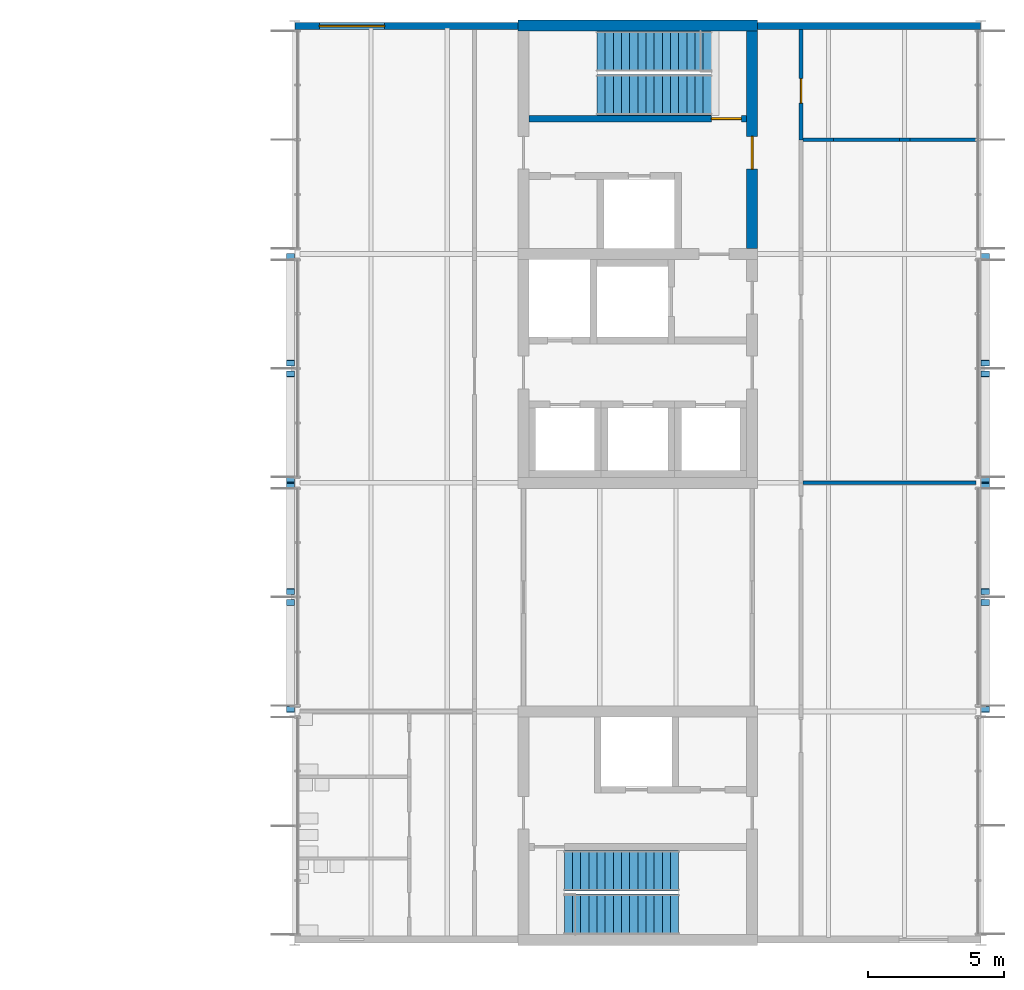
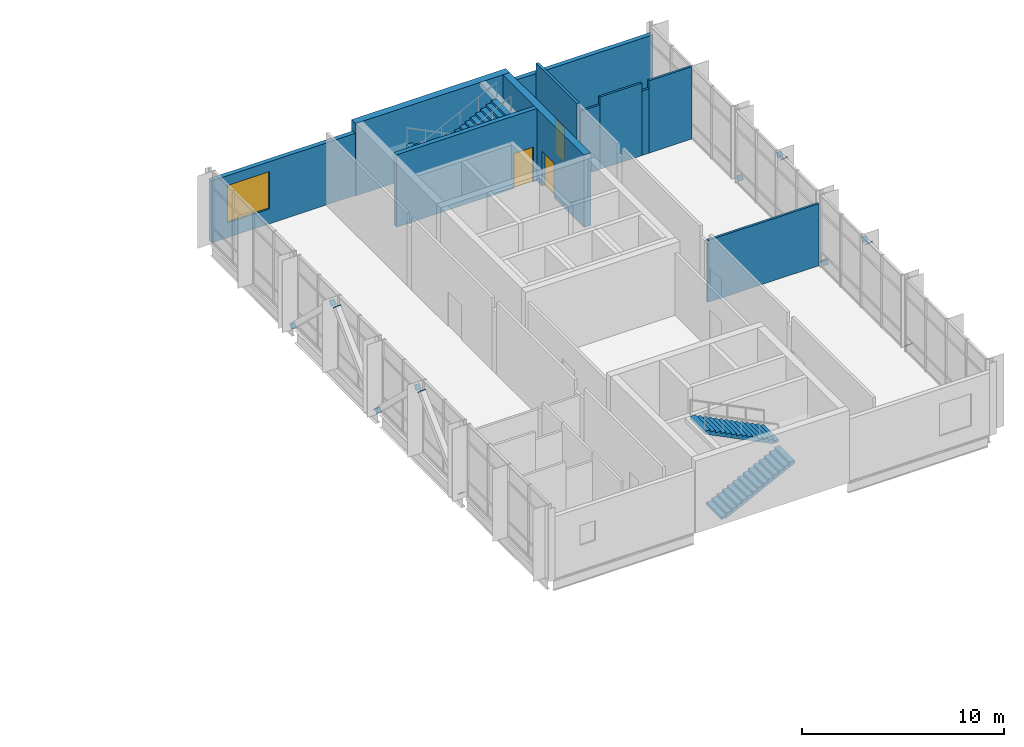
# One storey, part 11 of 14: 16 discrete accessories, 11 walls, 4 stair flights, 3 doors, 1 window, 4 openings, 2 elements without a shape of their own.
"""IFC4 building model written with IfcOpenShell, lengths in metres."""

from ifc_helpers import new_model, si_unit, direction, frame, frame_2d, origin, origin_2d, place, context, subcontext, project, spatial, polyline, rectangle, outline, extrude, material, layer, layer_set, type_object, element, fill, aggregate, save


model = new_model("IFC4")

# Units and contexts
model_context = context("Model", 3, precision=1e-05, world=origin(), true_north=direction((0.0, 1.0)))
body_context = subcontext(model_context, "Body", "Model", "MODEL_VIEW")
ifc_project = project(units=[si_unit("LENGTHUNIT", "METRE"), si_unit("AREAUNIT", "SQUARE_METRE"), si_unit("VOLUMEUNIT", "CUBIC_METRE"), si_unit("PLANEANGLEUNIT", "RADIAN"), si_unit("MASSUNIT", "GRAM", prefix="KILO")], contexts=[model_context])

# Site, building, storey
site_placement = place(None, origin())
site = spatial("IfcSite", under=ifc_project, at=site_placement, CompositionType="ELEMENT")
building_placement = place(site_placement, origin())
building = spatial("IfcBuilding", under=site, at=building_placement, Name="Hlaing Beacon Police Headquarters", CompositionType="ELEMENT")
storey_placement = place(building_placement, frame((0.0, 0.0, 27.89990234375)))
storey = spatial("IfcBuildingStorey", under=building, at=storey_placement, Name="L06", CompositionType="ELEMENT", Elevation=27.89990234375)

# Wall
ifc_material_1 = material(Name="Concrete C60/75", Category="concrete")
ifc_layer_1 = layer(ifc_material_1, 0.39990234375)
ifc_layer_set_1 = layer_set([ifc_layer_1], Name="Concrete C60/75")
wall_type_1 = type_object("IfcWallType", Name="Core shear wall 400", PredefinedType="SHEAR", material=ifc_layer_set_1)
wall_1_placement = place(storey_placement, frame((109.0, 67.199951171875, 0.0), z_axis=(0.0, 0.0, 1.0), x_axis=(1.0, 0.0, 0.0)))
element("IfcWall", 1, at=wall_1_placement, inside=storey, type_object=wall_type_1, Name="Core shear wall", PredefinedType="SHEAR", context=body_context, shape_type="SweptSolid", body=[
    extrude(rectangle(XDim=8.800048828125, YDim=0.39990234375, at=frame_2d((4.39990234375, 0.0))), origin(), (0.0, 0.0, 1.0), 4.3701171875),
])

# Wall, opening, door
wall_2_placement = place(storey_placement, frame((117.60009765625, 59.0, 0.0), z_axis=(0.0, 0.0, 1.0), x_axis=(0.0, 1.0, 0.0)))
wall_2 = element("IfcWall", 2, at=wall_2_placement, inside=storey, type_object=wall_type_1, Name="Core shear wall", PredefinedType="SHEAR", context=body_context, shape_type="SweptSolid", body=[
    extrude(rectangle(XDim=8.0, YDim=0.39990234375, at=frame_2d((4.0, 0.0))), origin(), (0.0, 0.0, 1.0), 4.3701171875),
])
opening_1_placement = place(wall_2_placement, frame((2.925048828125, 0.0, 0.0)))
opening_1 = element("IfcOpeningElement", 3, at=opening_1_placement, cuts=wall_2, Name="Opening L06-908", PredefinedType="OPENING", context=body_context, shape_type="SweptSolid", body=[
    extrude(rectangle(XDim=1.199951171875, YDim=2.10009765625, at=frame_2d((0.60009765625, 1.050048828125))), frame((0.0, 0.2099609375, 0.0), z_axis=(0.0, -1.0, 0.0), x_axis=(1.0, 0.0, 0.0)), (0.0, 0.0, 1.0), 0.419921875),
])
ifc_material_2 = material(Name="Steel fire door leaf", Category="steel")
ifc_layer_2 = layer(ifc_material_2, 0.070068359375)
ifc_layer_set_2 = layer_set([ifc_layer_2], Name="Steel fire door leaf")
door_type_1 = type_object("IfcDoorType", Name="Steel fire door FD60S 1200x2100", OperationType="SINGLE_SWING_LEFT", PredefinedType="DOOR", material=ifc_layer_set_2)
door_1_placement = place(opening_1_placement, origin())
door_1 = element("IfcDoor", 4, at=door_1_placement, inside=storey, type_object=door_type_1, Name="Door Stair Lobby ST-M Entry", OperationType="SINGLE_SWING_RIGHT", OverallHeight=2.10009765625, OverallWidth=1.199951171875, PredefinedType="DOOR", context=body_context, shape_type="SweptSolid", body=[
    extrude(rectangle(XDim=1.199951171875, YDim=2.10009765625, at=frame_2d((0.60009765625, 1.050048828125))), frame((0.0, 0.03515625, 0.0), z_axis=(0.0, -1.0, 0.0), x_axis=(1.0, 0.0, 0.0)), (0.0, 0.0, 1.0), 0.070068359375),
])
fill(opening_1, door_1)

ifc_material_3 = material(Name="Gypsum board partition")
ifc_layer_3 = layer(ifc_material_3, 0.14990234375)
ifc_layer_set_3 = layer_set([ifc_layer_3], Name="Gypsum board partition")
wall_type_2 = type_object("IfcWallType", Name="Corridor wall EI 30 150", PredefinedType="PARTITIONING", material=ifc_layer_set_3)
wall_3_placement = place(storey_placement, frame((119.39990234375, 63.0, 0.0), z_axis=(0.0, 0.0, 1.0), x_axis=(0.0, 1.0, 0.0)))
wall_3 = element("IfcWall", 5, at=wall_3_placement, inside=storey, type_object=wall_type_2, Name="Corridor wall EI 30 150", PredefinedType="PARTITIONING", context=body_context, shape_type="SweptSolid", body=[
    extrude(rectangle(XDim=4.050048828125, YDim=0.14990234375, at=frame_2d((2.02490234375, 0.0))), origin(), (0.0, 0.0, 1.0), 4.3701171875),
])
opening_2_placement = place(wall_3_placement, frame((1.35009765625, 0.0, 0.0)))
opening_2 = element("IfcOpeningElement", 6, at=opening_2_placement, cuts=wall_3, Name="Opening L06-004", PredefinedType="OPENING", context=body_context, shape_type="SweptSolid", body=[
    extrude(rectangle(XDim=0.89990234375, YDim=2.10009765625, at=frame_2d((0.449951171875, 1.050048828125))), frame((0.0, 0.0849609375, 0.0), z_axis=(0.0, -1.0, 0.0), x_axis=(1.0, 0.0, 0.0)), (0.0, 0.0, 1.0), 0.169921875),
])
ifc_material_4 = material(Name="Hardwood door leaf", Category="wood")
ifc_layer_4 = layer(ifc_material_4, 0.050048828125)
ifc_layer_set_4 = layer_set([ifc_layer_4], Name="Hardwood door leaf")
door_type_2 = type_object("IfcDoorType", Name="Fire door FD30S 900x2100", OperationType="SINGLE_SWING_LEFT", PredefinedType="DOOR", material=ifc_layer_set_4)
door_2_placement = place(opening_2_placement, frame((0.89990234375, 0.0, 0.0), z_axis=(0.0, 0.0, 1.0), x_axis=(-1.0, 0.0, 0.0)))
door_2 = element("IfcDoor", 7, at=door_2_placement, inside=storey, type_object=door_type_2, Name="Door Operations Stores", OperationType="SINGLE_SWING_RIGHT", OverallHeight=2.10009765625, OverallWidth=0.89990234375, PredefinedType="DOOR", context=body_context, shape_type="SweptSolid", body=[
    extrude(rectangle(XDim=0.89990234375, YDim=2.10009765625, at=frame_2d((0.449951171875, 1.050048828125))), frame((0.0, 0.025146484375, 0.0), z_axis=(0.0, -1.0, 0.0), x_axis=(1.0, 0.0, 0.0)), (0.0, 0.0, 1.0), 0.050048828125),
])
fill(opening_2, door_2)

# Walls
ifc_material_5 = material(Name="Gypsum board partition")
ifc_layer_5 = layer(ifc_material_5, 0.125)
ifc_layer_set_5 = layer_set([ifc_layer_5], Name="Gypsum board partition")
wall_type_3 = type_object("IfcWallType", Name="Partition 125", PredefinedType="PARTITIONING", material=ifc_layer_set_5)
wall_4_placement = place(storey_placement, frame((119.47509765625, 50.39990234375, 0.0), z_axis=(0.0, 0.0, 1.0), x_axis=(1.0, 0.0, 0.0)))
element("IfcWall", 8, at=wall_4_placement, inside=storey, type_object=wall_type_3, Name="Partition 125", PredefinedType="PARTITIONING", context=body_context, shape_type="SweptSolid", body=[
    extrude(rectangle(XDim=6.3388671875, YDim=0.125, at=frame_2d((3.16943359375, 0.0))), origin(), (0.0, 0.0, 1.0), 3.74609375),
])
wall_5_placement = place(storey_placement, frame((119.47509765625, 63.0, 0.0), z_axis=(0.0, 0.0, 1.0), x_axis=(1.0, 0.0, 0.0)))
element("IfcWall", 9, at=wall_5_placement, inside=storey, type_object=wall_type_3, Name="Partition 125", PredefinedType="PARTITIONING", context=body_context, shape_type="SweptSolid", body=[
    extrude(rectangle(XDim=1.117919921875, YDim=0.125, at=frame_2d((0.55908203125, 0.0))), origin(), (0.0, 0.0, 1.0), 3.89501953125),
])
wall_6_placement = place(storey_placement, frame((120.593017578125, 63.0, 0.0), z_axis=(0.0, 0.0, 1.0), x_axis=(1.0, 0.0, 0.0)))
element("IfcWall", 10, at=wall_6_placement, inside=storey, type_object=wall_type_3, Name="Partition 125", PredefinedType="PARTITIONING", context=body_context, shape_type="SweptSolid", body=[
    extrude(rectangle(XDim=2.4150390625, YDim=0.125, at=frame_2d((1.20751953125, 0.0))), origin(), (0.0, 0.0, 1.0), 4.3701171875),
])
wall_7_placement = place(storey_placement, frame((123.008056640625, 63.0, 0.0), z_axis=(0.0, 0.0, 1.0), x_axis=(1.0, 0.0, 0.0)))
element("IfcWall", 11, at=wall_7_placement, inside=storey, type_object=wall_type_3, Name="Partition 125", PredefinedType="PARTITIONING", context=body_context, shape_type="SweptSolid", body=[
    extrude(rectangle(XDim=0.384033203125, YDim=0.125, at=frame_2d((0.19189453125, 0.0))), origin(), (0.0, 0.0, 1.0), 3.89501953125),
])
wall_8_placement = place(storey_placement, frame((123.39208984375, 63.0, 0.0), z_axis=(0.0, 0.0, 1.0), x_axis=(1.0, 0.0, 0.0)))
element("IfcWall", 12, at=wall_8_placement, inside=storey, type_object=wall_type_3, Name="Partition 125", PredefinedType="PARTITIONING", context=body_context, shape_type="SweptSolid", body=[
    extrude(rectangle(XDim=2.4580078125, YDim=0.125, at=frame_2d((1.22900390625, 0.0))), origin(), (0.0, 0.0, 1.0), 4.3701171875),
])
ifc_material_6 = material(Name="Concrete C40/50 precast ribbed cladding", Category="concrete")
ifc_layer_6 = layer(ifc_material_6, 0.25)
ifc_layer_set_6 = layer_set([ifc_layer_6], Name="Concrete C40/50 precast ribbed cladding")
wall_type_4 = type_object("IfcWallType", Name="Precast ribbed wall 250", PredefinedType="SOLIDWALL", material=ifc_layer_set_6)
wall_9_placement = place(storey_placement, frame((125.99560546875, 67.175048828125, 0.0), z_axis=(0.0, 0.0, 1.0), x_axis=(-1.0, 0.0, 0.0)))
element("IfcWall", 13, at=wall_9_placement, inside=storey, type_object=wall_type_4, Name="External wall L06 N001", PredefinedType="SOLIDWALL", context=body_context, shape_type="SweptSolid", body=[
    extrude(rectangle(XDim=8.195556640625, YDim=0.25, at=frame_2d((4.09765625, 0.0))), origin(), (0.0, 0.0, 1.0), 3.74609375),
])

# Wall, opening, window
wall_10_placement = place(storey_placement, frame((109.0, 67.175048828125, 0.0), z_axis=(0.0, 0.0, 1.0), x_axis=(-1.0, 0.0, 0.0)))
wall_10 = element("IfcWall", 14, at=wall_10_placement, inside=storey, type_object=wall_type_4, Name="External wall L06 N002", PredefinedType="SOLIDWALL", context=body_context, shape_type="SweptSolid", body=[
    extrude(rectangle(XDim=8.195556640625, YDim=0.25, at=frame_2d((4.09765625, 0.0))), origin(), (0.0, 0.0, 1.0), 3.74609375),
])
opening_3_placement = place(wall_10_placement, frame((4.89990234375, 0.0, 0.89990234375)))
opening_3 = element("IfcOpeningElement", 15, at=opening_3_placement, cuts=wall_10, Name="Opening WN38", PredefinedType="OPENING", context=body_context, shape_type="SweptSolid", body=[
    extrude(rectangle(XDim=2.39990234375, YDim=2.25, at=frame_2d((1.199951171875, 1.125))), frame((0.0, 0.135009765625, 0.0), z_axis=(0.0, -1.0, 0.0), x_axis=(1.0, 0.0, 0.0)), (0.0, 0.0, 1.0), 0.27001953125),
])
ifc_material_7 = material(Name="Aluminium frame with solar control glazing", Category="aluminium")
window_type = type_object("IfcWindowType", Name="Window 2400x2250 frame 60", PartitioningType="SINGLE_PANEL", PredefinedType="WINDOW", material=ifc_material_7)
window_placement = place(opening_3_placement, origin())
window = element("IfcWindow", 16, at=window_placement, inside=storey, type_object=window_type, Name="Window L06 WA", OverallHeight=2.25, OverallWidth=2.39990234375, PartitioningType="SINGLE_PANEL", PredefinedType="WINDOW", context=body_context, shape_type="SweptSolid", body=[
    extrude(rectangle(XDim=2.39990234375, YDim=2.25, at=frame_2d((1.199951171875, 1.125))), frame((0.0, 0.030029296875, 0.0), z_axis=(0.0, -1.0, 0.0), x_axis=(1.0, 0.0, 0.0)), (0.0, 0.0, 1.0), 0.06005859375),
])
fill(opening_3, window)

# Wall, opening, door
ifc_material_8 = material(Name="Concrete C40/50", Category="concrete")
ifc_layer_7 = layer(ifc_material_8, 0.25)
ifc_layer_set_7 = layer_set([ifc_layer_7], Name="Concrete C40/50")
wall_type_5 = type_object("IfcWallType", Name="Shaft wall 250", PredefinedType="SOLIDWALL", material=ifc_layer_set_7)
wall_11_placement = place(storey_placement, frame((117.39990234375, 63.77490234375, 0.0), z_axis=(0.0, 0.0, 1.0), x_axis=(-1.0, 0.0, 0.0)))
wall_11 = element("IfcWall", 17, at=wall_11_placement, inside=storey, type_object=wall_type_5, Name="Stair enclosure wall", PredefinedType="SOLIDWALL", context=body_context, shape_type="SweptSolid", body=[
    extrude(rectangle(XDim=8.0, YDim=0.25, at=frame_2d((4.0, 0.0))), origin(), (0.0, 0.0, 1.0), 4.3701171875),
])
opening_4_placement = place(wall_11_placement, frame((0.199951171875, 0.0, 0.0)))
opening_4 = element("IfcOpeningElement", 18, at=opening_4_placement, cuts=wall_11, Name="Opening L06-910", PredefinedType="OPENING", context=body_context, shape_type="SweptSolid", body=[
    extrude(rectangle(XDim=1.10009765625, YDim=2.10009765625, at=frame_2d((0.550048828125, 1.050048828125))), frame((0.0, 0.135009765625, 0.0), z_axis=(0.0, -1.0, 0.0), x_axis=(1.0, 0.0, 0.0)), (0.0, 0.0, 1.0), 0.27001953125),
])
ifc_material_9 = material(Name="Steel fire door leaf", Category="steel")
ifc_layer_8 = layer(ifc_material_9, 0.070068359375)
ifc_layer_set_8 = layer_set([ifc_layer_8], Name="Steel fire door leaf")
door_type_3 = type_object("IfcDoorType", Name="Steel fire door FD60 1100x2100", OperationType="SINGLE_SWING_LEFT", PredefinedType="DOOR", material=ifc_layer_set_8)
door_3_placement = place(opening_4_placement, frame((1.10009765625, 0.0, 0.0), z_axis=(0.0, 0.0, 1.0), x_axis=(-1.0, 0.0, 0.0)))
door_3 = element("IfcDoor", 19, at=door_3_placement, inside=storey, type_object=door_type_3, Name="Door Stair ST-M", OperationType="SINGLE_SWING_LEFT", OverallHeight=2.10009765625, OverallWidth=1.10009765625, PredefinedType="DOOR", context=body_context, shape_type="SweptSolid", body=[
    extrude(rectangle(XDim=1.10009765625, YDim=2.10009765625, at=frame_2d((0.550048828125, 1.050048828125))), frame((0.0, 0.034912109375, 0.0), z_axis=(0.0, -1.0, 0.0), x_axis=(1.0, 0.0, 0.0)), (0.0, 0.0, 1.0), 0.070068359375),
])
fill(opening_4, door_3)

# Stair, stair flights
ifc_material_10 = material(Name="Concrete C40/50", Category="concrete")
stair_type = type_object("IfcStairType", Name="Half-turn stair 1500 wide, 4500 rise", PredefinedType="HALF_TURN_STAIR", material=ifc_material_10)
stair_1_placement = place(storey_placement, origin())
stair_1 = element("IfcStair", 20, at=stair_1_placement, inside=storey, type_object=stair_type, Name="Stair ST-M", PredefinedType="HALF_TURN_STAIR")
ifc_material_11 = material(Name="Concrete C40/50", Category="concrete")
stair_flight_type = type_object("IfcStairFlightType", Name="Stair flight 1500 wide, 15 risers", PredefinedType="STRAIGHT", material=ifc_material_11)
stair_flight_1_placement = place(storey_placement, frame((116.10009765625, 66.25, 0.0), z_axis=(0.0, 0.0, 1.0), x_axis=(-1.0, 0.0, 0.0)))
stair_flight_1 = element("IfcStairFlight", 21, at=stair_flight_1_placement, type_object=stair_flight_type, Name="ST-M flight 1", NumberOfRisers=15, NumberOfTreads=14, PredefinedType="STRAIGHT", RiserHeight=0.15, TreadLength=0.3, context=body_context, shape_type="SweptSolid", body=[
    extrude(outline(polyline([(0.0, 0.0), (0.0, 0.14990234375), (0.300048828125, 0.14990234375), (0.300048828125, 0.300048828125), (0.60009765625, 0.300048828125), (0.60009765625, 0.449951171875), (0.89990234375, 0.449951171875), (0.89990234375, 0.60009765625), (1.199951171875, 0.60009765625), (1.199951171875, 0.75), (1.5, 0.75), (1.5, 0.89990234375), (1.800048828125, 0.89990234375), (1.800048828125, 1.050048828125), (2.10009765625, 1.050048828125), (2.10009765625, 1.199951171875), (2.39990234375, 1.199951171875), (2.39990234375, 1.35009765625), (2.699951171875, 1.35009765625), (2.699951171875, 1.5), (3.0, 1.5), (3.0, 1.64990234375), (3.300048828125, 1.64990234375), (3.300048828125, 1.800048828125), (3.60009765625, 1.800048828125), (3.60009765625, 1.949951171875), (3.89990234375, 1.949951171875), (3.89990234375, 2.10009765625), (4.199951171875, 2.10009765625), (4.199951171875, 2.25), (4.199951171875, 1.932373046875), (0.335205078125, 0.0), (0.0, 0.0)])), frame((0.0, 0.75, 0.0), z_axis=(0.0, -1.0, 0.0), x_axis=(1.0, 0.0, 0.0)), (0.0, 0.0, 1.0), 1.5),
])
stair_flight_2_placement = place(storey_placement, frame((111.89990234375, 64.64990234375, 2.25), z_axis=(0.0, 0.0, 1.0), x_axis=(1.0, 0.0, 0.0)))
stair_flight_2 = element("IfcStairFlight", 22, at=stair_flight_2_placement, type_object=stair_flight_type, Name="ST-M flight 2", NumberOfRisers=15, NumberOfTreads=14, PredefinedType="STRAIGHT", RiserHeight=0.15, TreadLength=0.3, context=body_context, shape_type="SweptSolid", body=[
    extrude(outline(polyline([(0.0, 0.0), (0.0, 0.14990234375), (0.300048828125, 0.14990234375), (0.300048828125, 0.300048828125), (0.60009765625, 0.300048828125), (0.60009765625, 0.449951171875), (0.89990234375, 0.449951171875), (0.89990234375, 0.60009765625), (1.199951171875, 0.60009765625), (1.199951171875, 0.75), (1.5, 0.75), (1.5, 0.89990234375), (1.800048828125, 0.89990234375), (1.800048828125, 1.050048828125), (2.10009765625, 1.050048828125), (2.10009765625, 1.199951171875), (2.39990234375, 1.199951171875), (2.39990234375, 1.35009765625), (2.699951171875, 1.35009765625), (2.699951171875, 1.5), (3.0, 1.5), (3.0, 1.64990234375), (3.300048828125, 1.64990234375), (3.300048828125, 1.800048828125), (3.60009765625, 1.800048828125), (3.60009765625, 1.949951171875), (3.89990234375, 1.949951171875), (3.89990234375, 2.10009765625), (4.199951171875, 2.10009765625), (4.199951171875, 2.25), (4.199951171875, 1.932373046875), (0.335205078125, 0.0), (0.0, 0.0)])), frame((0.0, 0.75, 0.0), z_axis=(0.0, -1.0, 0.0), x_axis=(1.0, 0.0, 0.0)), (0.0, 0.0, 1.0), 1.5),
])
aggregate(stair_1, [stair_flight_1, stair_flight_2])

stair_2_placement = place(storey_placement, origin())
stair_2 = element("IfcStair", 23, at=stair_2_placement, inside=storey, type_object=stair_type, Name="Stair ST-L", PredefinedType="HALF_TURN_STAIR")
stair_flight_3_placement = place(storey_placement, frame((110.699951171875, 34.550048828125, 0.0), z_axis=(0.0, 0.0, 1.0), x_axis=(1.0, 0.0, 0.0)))
stair_flight_3 = element("IfcStairFlight", 24, at=stair_flight_3_placement, type_object=stair_flight_type, Name="ST-L flight 1", NumberOfRisers=15, NumberOfTreads=14, PredefinedType="STRAIGHT", RiserHeight=0.15, TreadLength=0.3, context=body_context, shape_type="SweptSolid", body=[
    extrude(outline(polyline([(0.0, 0.0), (0.0, 0.14990234375), (0.300048828125, 0.14990234375), (0.300048828125, 0.300048828125), (0.60009765625, 0.300048828125), (0.60009765625, 0.449951171875), (0.89990234375, 0.449951171875), (0.89990234375, 0.60009765625), (1.199951171875, 0.60009765625), (1.199951171875, 0.75), (1.5, 0.75), (1.5, 0.89990234375), (1.800048828125, 0.89990234375), (1.800048828125, 1.050048828125), (2.10009765625, 1.050048828125), (2.10009765625, 1.199951171875), (2.39990234375, 1.199951171875), (2.39990234375, 1.35009765625), (2.699951171875, 1.35009765625), (2.699951171875, 1.5), (3.0, 1.5), (3.0, 1.64990234375), (3.300048828125, 1.64990234375), (3.300048828125, 1.800048828125), (3.60009765625, 1.800048828125), (3.60009765625, 1.949951171875), (3.89990234375, 1.949951171875), (3.89990234375, 2.10009765625), (4.199951171875, 2.10009765625), (4.199951171875, 2.25), (4.199951171875, 1.932373046875), (0.335205078125, 0.0), (0.0, 0.0)])), frame((0.0, 0.75, 0.0), z_axis=(0.0, -1.0, 0.0), x_axis=(1.0, 0.0, 0.0)), (0.0, 0.0, 1.0), 1.5),
])
stair_flight_4_placement = place(storey_placement, frame((114.89990234375, 36.14990234375, 2.25), z_axis=(0.0, 0.0, 1.0), x_axis=(-1.0, 0.0, 0.0)))
stair_flight_4 = element("IfcStairFlight", 25, at=stair_flight_4_placement, type_object=stair_flight_type, Name="ST-L flight 2", NumberOfRisers=15, NumberOfTreads=14, PredefinedType="STRAIGHT", RiserHeight=0.15, TreadLength=0.3, context=body_context, shape_type="SweptSolid", body=[
    extrude(outline(polyline([(0.0, 0.0), (0.0, 0.14990234375), (0.300048828125, 0.14990234375), (0.300048828125, 0.300048828125), (0.60009765625, 0.300048828125), (0.60009765625, 0.449951171875), (0.89990234375, 0.449951171875), (0.89990234375, 0.60009765625), (1.199951171875, 0.60009765625), (1.199951171875, 0.75), (1.5, 0.75), (1.5, 0.89990234375), (1.800048828125, 0.89990234375), (1.800048828125, 1.050048828125), (2.10009765625, 1.050048828125), (2.10009765625, 1.199951171875), (2.39990234375, 1.199951171875), (2.39990234375, 1.35009765625), (2.699951171875, 1.35009765625), (2.699951171875, 1.5), (3.0, 1.5), (3.0, 1.64990234375), (3.300048828125, 1.64990234375), (3.300048828125, 1.800048828125), (3.60009765625, 1.800048828125), (3.60009765625, 1.949951171875), (3.89990234375, 1.949951171875), (3.89990234375, 2.10009765625), (4.199951171875, 2.10009765625), (4.199951171875, 2.25), (4.199951171875, 1.932373046875), (0.335205078125, 0.0), (0.0, 0.0)])), frame((0.0, 0.75, 0.0), z_axis=(0.0, -1.0, 0.0), x_axis=(1.0, 0.0, 0.0)), (0.0, 0.0, 1.0), 1.5),
])
aggregate(stair_2, [stair_flight_3, stair_flight_4])

# Discrete accessories
ifc_material_12 = material(Name="Steel ASTM A572 Grade 50", Category="steel")
for number, where, z_axis, x_axis, name in (
    (26, (100.6435546875, 42.082275390625, 0.1142578125), (0.0, -0.720208206654, -0.693757983067), (1.0, 0.0, 0.0), "Gusset plate GP-065"),
    (27, (100.6435546875, 45.99560546875, 3.884033203125), (0.0, 0.720208206654, 0.693757983067), (-1.0, 0.0, 0.0), "Gusset plate GP-066"),
    (28, (100.6435546875, 50.317626953125, 0.1142578125), (0.0, 0.720208206654, -0.693757983067), (-1.0, 0.0, 0.0), "Gusset plate GP-067"),
    (29, (100.6435546875, 46.404296875, 3.884033203125), (0.0, -0.720208206654, 0.693757983067), (1.0, 0.0, 0.0), "Gusset plate GP-068"),
    (30, (100.6435546875, 50.482421875, 0.1142578125), (0.0, -0.720186628496, -0.693780383216), (1.0, 0.0, 0.0), "Gusset plate GP-069"),
    (31, (100.6435546875, 54.3955078125, 3.884033203125), (0.0, 0.720186628496, 0.693780383216), (-1.0, 0.0, 0.0), "Gusset plate GP-070"),
    (32, (100.6435546875, 58.717529296875, 0.1142578125), (0.0, 0.720186628496, -0.693780383216), (-1.0, 0.0, 0.0), "Gusset plate GP-071"),
    (33, (100.6435546875, 54.804443359375, 3.884033203125), (0.0, -0.720186628496, 0.693780383216), (1.0, 0.0, 0.0), "Gusset plate GP-072"),
    (34, (126.156494140625, 42.082275390625, 0.1142578125), (0.0, -0.720208206654, -0.693757983067), (1.0, 0.0, 0.0), "Gusset plate GP-121"),
    (35, (126.156494140625, 45.99560546875, 3.884033203125), (0.0, 0.720208206654, 0.693757983067), (-1.0, 0.0, 0.0), "Gusset plate GP-122"),
    (36, (126.156494140625, 50.317626953125, 0.1142578125), (0.0, 0.720208206654, -0.693757983067), (-1.0, 0.0, 0.0), "Gusset plate GP-123"),
    (37, (126.156494140625, 46.404296875, 3.884033203125), (0.0, -0.720208206654, 0.693757983067), (1.0, 0.0, 0.0), "Gusset plate GP-124"),
    (38, (126.156494140625, 50.482421875, 0.1142578125), (0.0, -0.720186628496, -0.693780383216), (1.0, 0.0, 0.0), "Gusset plate GP-125"),
    (39, (126.156494140625, 54.3955078125, 3.884033203125), (0.0, 0.720186628496, 0.693780383216), (-1.0, 0.0, 0.0), "Gusset plate GP-126"),
    (40, (126.156494140625, 58.717529296875, 0.1142578125), (0.0, 0.720186628496, -0.693780383216), (-1.0, 0.0, 0.0), "Gusset plate GP-127"),
    (41, (126.156494140625, 54.804443359375, 3.884033203125), (0.0, -0.720186628496, 0.693780383216), (1.0, 0.0, 0.0), "Gusset plate GP-128"),
):
    element("IfcDiscreteAccessory", number, at=place(storey_placement, frame(where, z_axis=z_axis, x_axis=x_axis)), inside=storey, material=ifc_material_12, Name=name, PredefinedType="BRACKET", context=body_context, shape_type="SweptSolid", body=[
        extrude(rectangle(XDim=0.3046875, YDim=0.3046875, at=origin_2d()), origin(), (0.0, 0.0, 1.0), 0.011962890625),
    ])

save(model, "model.ifc")
